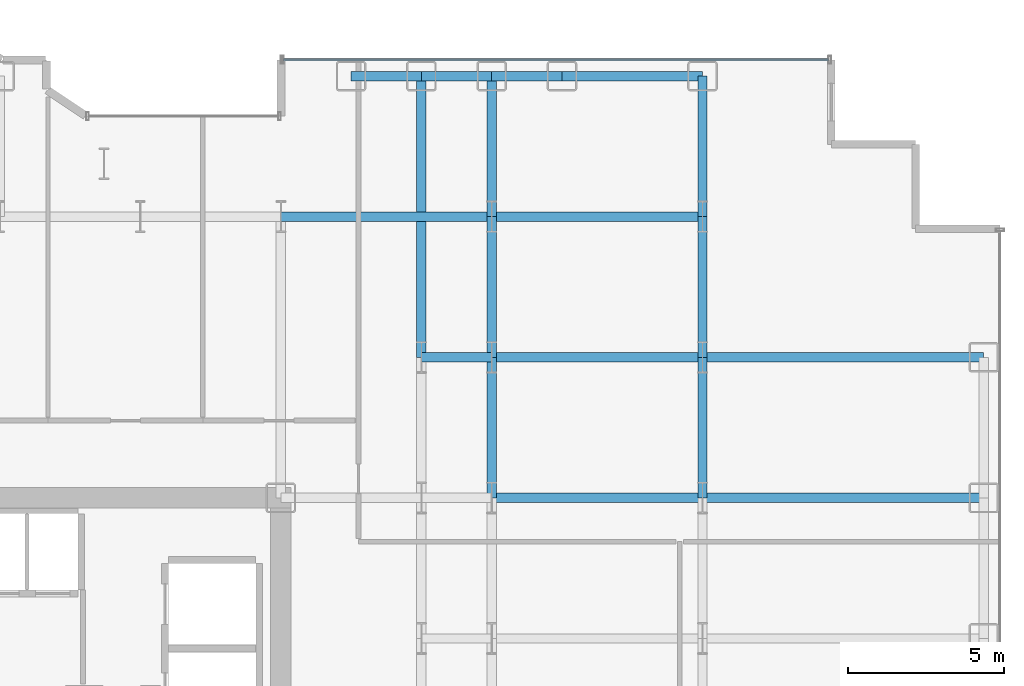
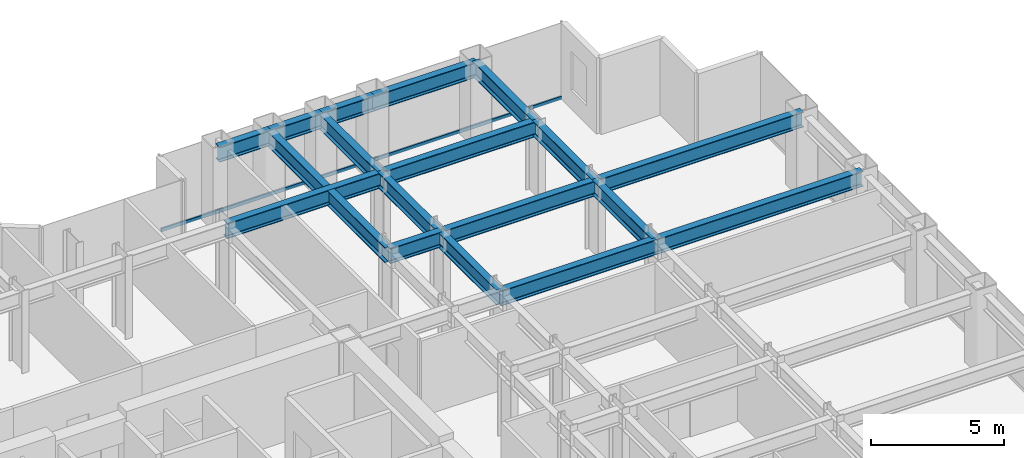
# One storey, part 13 of 26: 18 beams, 1 member, 1 element without a shape of its own.
"""IFC4 building model written with IfcOpenShell, lengths in metres."""

from ifc_helpers import new_model, si_unit, direction, frame, origin, origin_2d, place, context, subcontext, project, spatial, hollow_rectangle, i_section, extrude, source, transform, mapped, material, layer, layer_set, material_profile, profile_set, type_object, element, aggregate, save


model = new_model("IFC4")

# Units and contexts
model_context = context("Model", 3, precision=1e-05, world=origin(), true_north=direction((0.0, 1.0)))
body_context = subcontext(model_context, "Body", "Model", "MODEL_VIEW")
ifc_project = project(units=[si_unit("LENGTHUNIT", "METRE"), si_unit("AREAUNIT", "SQUARE_METRE"), si_unit("VOLUMEUNIT", "CUBIC_METRE"), si_unit("PLANEANGLEUNIT", "RADIAN"), si_unit("MASSUNIT", "GRAM", prefix="KILO")], contexts=[model_context])

# Site, building, storey
site_placement = place(None, origin())
site = spatial("IfcSite", under=ifc_project, at=site_placement, CompositionType="ELEMENT")
building_placement = place(site_placement, origin())
building = spatial("IfcBuilding", under=site, at=building_placement, Name="Nefas-Gora Pilgrimage Tower", CompositionType="ELEMENT")
storey_placement = place(building_placement, frame((0.0, 0.0, 82.39990234375)))
storey = spatial("IfcBuildingStorey", under=building, at=storey_placement, Name="L19", CompositionType="ELEMENT", Elevation=82.39990234375)

# Beams
ifc_material_1 = material(Name="Steel S355", Category="steel")
ifc_material_profile_1 = material_profile(ifc_material_1, i_section(OverallWidth=0.300048828125, OverallDepth=0.699951171875, WebThickness=0.01708984375, FlangeThickness=0.031982421875, FilletRadius=0.027099609375, at=origin_2d()), Name="HEB 700")
ifc_profile_set_1 = profile_set([ifc_material_profile_1], Name="Steel S355")
beam_type_1 = type_object("IfcBeamType", Name="BM-SPN-HEB600", PredefinedType="SPANDREL", material=ifc_profile_set_1)
shared_shape_1 = source(origin(), body_context, "Body", "SweptSolid", [
    extrude(i_section(OverallWidth=0.300048828125, OverallDepth=0.699951171875, WebThickness=0.01708984375, FlangeThickness=0.031982421875, FilletRadius=0.027099609375, at=origin_2d()), origin(), (0.0, 0.0, 1.0), 4.5),
])
beam_1_placement = place(storey_placement, frame((20.25, 22.5, 3.150146484375), z_axis=(1.0, 0.0, 0.0), x_axis=(0.0, 1.0, 0.0)))
element("IfcBeam", 1, at=beam_1_placement, inside=storey, type_object=beam_type_1, Name="L19 SP-01 beam", PredefinedType="SPANDREL", context=body_context, shape_type="MappedRepresentation", body=[
    mapped(shared_shape_1, transform((0.0, 0.0, 0.0), x_axis=(1.0, 0.0, 0.0), y_axis=(0.0, 1.0, 0.0), z_axis=(0.0, 0.0, 1.0), scale=1.0)),
])
ifc_material_profile_2 = material_profile(ifc_material_1, i_section(OverallWidth=0.300048828125, OverallDepth=0.699951171875, WebThickness=0.01708984375, FlangeThickness=0.031982421875, FilletRadius=0.027099609375, at=origin_2d()), Name="HEB 700")
ifc_profile_set_2 = profile_set([ifc_material_profile_2], Name="Steel S355")
beam_type_2 = type_object("IfcBeamType", Name="BM-GIR-HEB700", PredefinedType="BEAM", material=ifc_profile_set_2)
shared_shape_2 = source(origin(), body_context, "Body", "SweptSolid", [
    extrude(i_section(OverallWidth=0.300048828125, OverallDepth=0.699951171875, WebThickness=0.01708984375, FlangeThickness=0.031982421875, FilletRadius=0.027099609375, at=origin_2d()), origin(), (0.0, 0.0, 1.0), 9.0),
])
for number, where, z_axis, x_axis, name in (
    (2, (15.75, 13.5, 3.150146484375), (0.0, 1.0, 0.0), (-1.0, 0.0, 0.0), "L19 G-02 beam"),
    (3, (24.75, 9.0, 3.150146484375), (1.0, 0.0, 0.0), (0.0, 1.0, 0.0), "L19 G-02 beam"),
    (4, (24.75, 13.5, 3.150146484375), (1.0, 0.0, 0.0), (0.0, 1.0, 0.0), "L19 G-02 beam"),
):
    element("IfcBeam", number, at=place(storey_placement, frame(where, z_axis=z_axis, x_axis=x_axis)), inside=storey, type_object=beam_type_2, Name=name, PredefinedType="BEAM", context=body_context, shape_type="MappedRepresentation", body=[
        mapped(shared_shape_2, transform((0.0, 0.0, 0.0), x_axis=(1.0, 0.0, 0.0), y_axis=(0.0, 1.0, 0.0), z_axis=(0.0, 0.0, 1.0), scale=1.0)),
    ])
shared_shape_3 = source(origin(), body_context, "Body", "SweptSolid", [
    extrude(i_section(OverallWidth=0.300048828125, OverallDepth=0.699951171875, WebThickness=0.01708984375, FlangeThickness=0.031982421875, FilletRadius=0.027099609375, at=origin_2d()), origin(), (0.0, 0.0, 1.0), 4.5),
])
for number, where, z_axis, x_axis, name in (
    (5, (18.0, 9.0, 3.150146484375), (0.0, 1.0, 0.0), (-1.0, 0.0, 0.0), "L19 G-02 beam"),
    (6, (18.0, 13.5, 3.150146484375), (0.0, 1.0, 0.0), (-1.0, 0.0, 0.0), "L19 G-02 beam"),
    (7, (18.0, 18.0, 3.150146484375), (0.0, 1.0, 0.0), (-1.0, 0.0, 0.0), "L19 G-02 beam"),
    (8, (24.75, 9.0, 3.150146484375), (0.0, 1.0, 0.0), (-1.0, 0.0, 0.0), "L19 G-02 beam"),
    (9, (24.75, 13.5, 3.150146484375), (0.0, 1.0, 0.0), (-1.0, 0.0, 0.0), "L19 G-02 beam"),
    (10, (24.75, 18.0, 3.150146484375), (0.0, 1.0, 0.0), (-1.0, 0.0, 0.0), "L19 G-02 beam"),
):
    element("IfcBeam", number, at=place(storey_placement, frame(where, z_axis=z_axis, x_axis=x_axis)), inside=storey, type_object=beam_type_2, Name=name, PredefinedType="BEAM", context=body_context, shape_type="MappedRepresentation", body=[
        mapped(shared_shape_3, transform((0.0, 0.0, 0.0), x_axis=(1.0, 0.0, 0.0), y_axis=(0.0, 1.0, 0.0), z_axis=(0.0, 0.0, 1.0), scale=1.0)),
    ])
shared_shape_4 = source(origin(), body_context, "Body", "SweptSolid", [
    extrude(i_section(OverallWidth=0.300048828125, OverallDepth=0.699951171875, WebThickness=0.01708984375, FlangeThickness=0.031982421875, FilletRadius=0.027099609375, at=origin_2d()), origin(), (0.0, 0.0, 1.0), 6.75),
])
for number, where, z_axis, x_axis, name in (
    (11, (11.25, 18.0, 3.150146484375), (1.0, 0.0, 0.0), (0.0, 1.0, 0.0), "L19 G-02 beam"),
    (12, (18.0, 9.0, 3.150146484375), (1.0, 0.0, 0.0), (0.0, 1.0, 0.0), "L19 G-02 beam"),
    (13, (18.0, 13.5, 3.150146484375), (1.0, 0.0, 0.0), (0.0, 1.0, 0.0), "L19 G-02 beam"),
    (14, (18.0, 18.0, 3.150146484375), (1.0, 0.0, 0.0), (0.0, 1.0, 0.0), "L19 G-02 beam"),
):
    element("IfcBeam", number, at=place(storey_placement, frame(where, z_axis=z_axis, x_axis=x_axis)), inside=storey, type_object=beam_type_2, Name=name, PredefinedType="BEAM", context=body_context, shape_type="MappedRepresentation", body=[
        mapped(shared_shape_4, transform((0.0, 0.0, 0.0), x_axis=(1.0, 0.0, 0.0), y_axis=(0.0, 1.0, 0.0), z_axis=(0.0, 0.0, 1.0), scale=1.0)),
    ])
shared_shape_5 = source(origin(), body_context, "Body", "SweptSolid", [
    extrude(i_section(OverallWidth=0.300048828125, OverallDepth=0.699951171875, WebThickness=0.01708984375, FlangeThickness=0.031982421875, FilletRadius=0.027099609375, at=origin_2d()), origin(), (0.0, 0.0, 1.0), 2.25),
])
for number, where, z_axis, x_axis, name in (
    (15, (13.5, 22.5, 3.150146484375), (1.0, 0.0, 0.0), (0.0, 1.0, 0.0), "L19 SP-01 beam"),
    (16, (15.75, 22.5, 3.150146484375), (1.0, 0.0, 0.0), (0.0, 1.0, 0.0), "L19 SP-01 beam"),
    (17, (18.0, 22.5, 3.150146484375), (1.0, 0.0, 0.0), (0.0, 1.0, 0.0), "L19 SP-01 beam"),
):
    element("IfcBeam", number, at=place(storey_placement, frame(where, z_axis=z_axis, x_axis=x_axis)), inside=storey, type_object=beam_type_1, Name=name, PredefinedType="SPANDREL", context=body_context, shape_type="MappedRepresentation", body=[
        mapped(shared_shape_5, transform((0.0, 0.0, 0.0), x_axis=(1.0, 0.0, 0.0), y_axis=(0.0, 1.0, 0.0), z_axis=(0.0, 0.0, 1.0), scale=1.0)),
    ])
shared_shape_6 = source(origin(), body_context, "Body", "SweptSolid", [
    extrude(i_section(OverallWidth=0.300048828125, OverallDepth=0.699951171875, WebThickness=0.01708984375, FlangeThickness=0.031982421875, FilletRadius=0.027099609375, at=origin_2d()), origin(), (0.0, 0.0, 1.0), 2.25),
])
beam_2_placement = place(storey_placement, frame((15.75, 13.5, 3.150146484375), z_axis=(1.0, 0.0, 0.0), x_axis=(0.0, 1.0, 0.0)))
element("IfcBeam", 18, at=beam_2_placement, inside=storey, type_object=beam_type_2, Name="L19 G-02 beam", PredefinedType="BEAM", context=body_context, shape_type="MappedRepresentation", body=[
    mapped(shared_shape_6, transform((0.0, 0.0, 0.0), x_axis=(1.0, 0.0, 0.0), y_axis=(0.0, 1.0, 0.0), z_axis=(0.0, 0.0, 1.0), scale=1.0)),
])

# Curtain wall, member
ifc_material_2 = material(Name="Dark ceramic-fritted solar-control aluminium-glass curtain wall", Category="aluminium")
ifc_layer = layer(ifc_material_2, 0.219970703125)
ifc_layer_set = layer_set([ifc_layer], Name="Dark ceramic-fritted solar-control aluminium-glass curtain wall")
curtain_wall_type = type_object("IfcCurtainWallType", Name="CW-SYS-2", PredefinedType="NOTDEFINED", material=ifc_layer_set)
curtain_wall_placement = place(storey_placement, origin())
curtain_wall = element("IfcCurtainWall", 19, at=curtain_wall_placement, inside=storey, type_object=curtain_wall_type, Name="L19 Unitised Curtain Wall CW2", PredefinedType="NOTDEFINED")
ifc_material_3 = material(Name="Anodised architectural aluminium", Category="aluminium")
ifc_material_profile_3 = material_profile(ifc_material_3, hollow_rectangle(XDim=0.080078125, YDim=0.159912109375, WallThickness=0.00439453125, InnerFilletRadius=0.00439453125, OuterFilletRadius=0.009033203125, at=origin_2d()), Name="ALU TRANSOM 80x160")
ifc_profile_set_3 = profile_set([ifc_material_profile_3], Name="Anodised architectural aluminium")
member_type = type_object("IfcMemberType", Name="CWM-TRN-2", PredefinedType="USERDEFINED", material=ifc_profile_set_3)
shared_shape_7 = source(origin(), body_context, "Body", "SweptSolid", [
    extrude(hollow_rectangle(XDim=0.080078125, YDim=0.159912109375, WallThickness=0.00439453125, InnerFilletRadius=0.00439453125, OuterFilletRadius=0.009033203125, at=origin_2d()), origin(), (0.0, 0.0, 1.0), 17.43994140625),
])
member_placement = place(storey_placement, frame((28.780029296875, 23.02001953125, 0.050048828125), z_axis=(-1.0, 0.0, 0.0), x_axis=(0.0, -1.0, 0.0)))
member = element("IfcMember", 20, at=member_placement, type_object=member_type, Name="CW2 Spandrel Transom", ObjectType="TRANSOM", PredefinedType="USERDEFINED", context=body_context, shape_type="MappedRepresentation", body=[
    mapped(shared_shape_7, transform((0.0, 0.0, 0.0), x_axis=(1.0, 0.0, 0.0), y_axis=(0.0, 1.0, 0.0), z_axis=(0.0, 0.0, 1.0), scale=1.0)),
])
aggregate(curtain_wall, [member])

save(model, "model.ifc")
